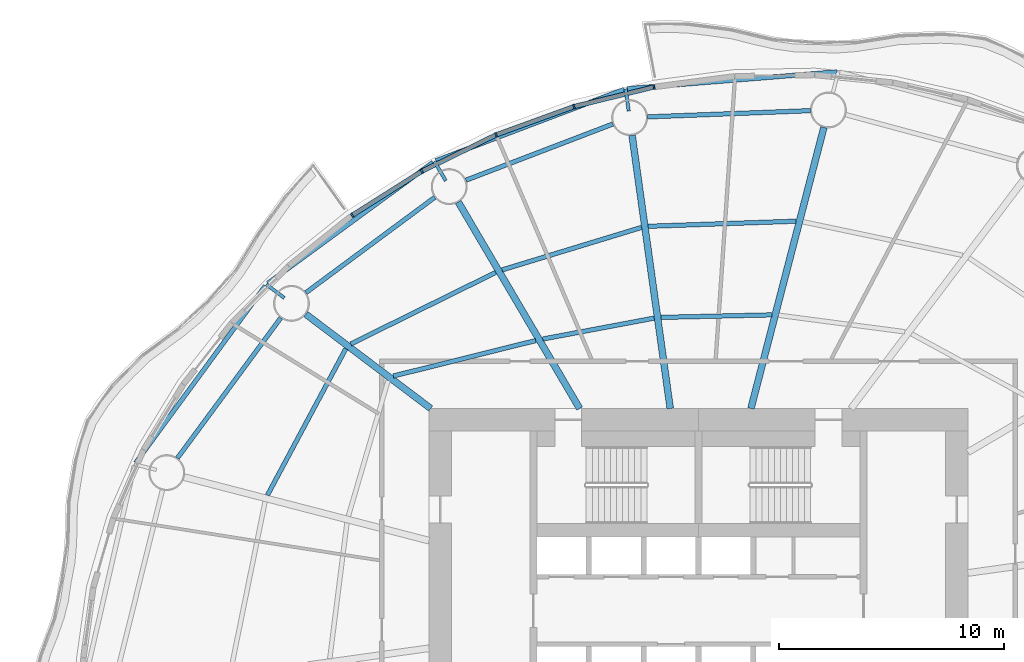
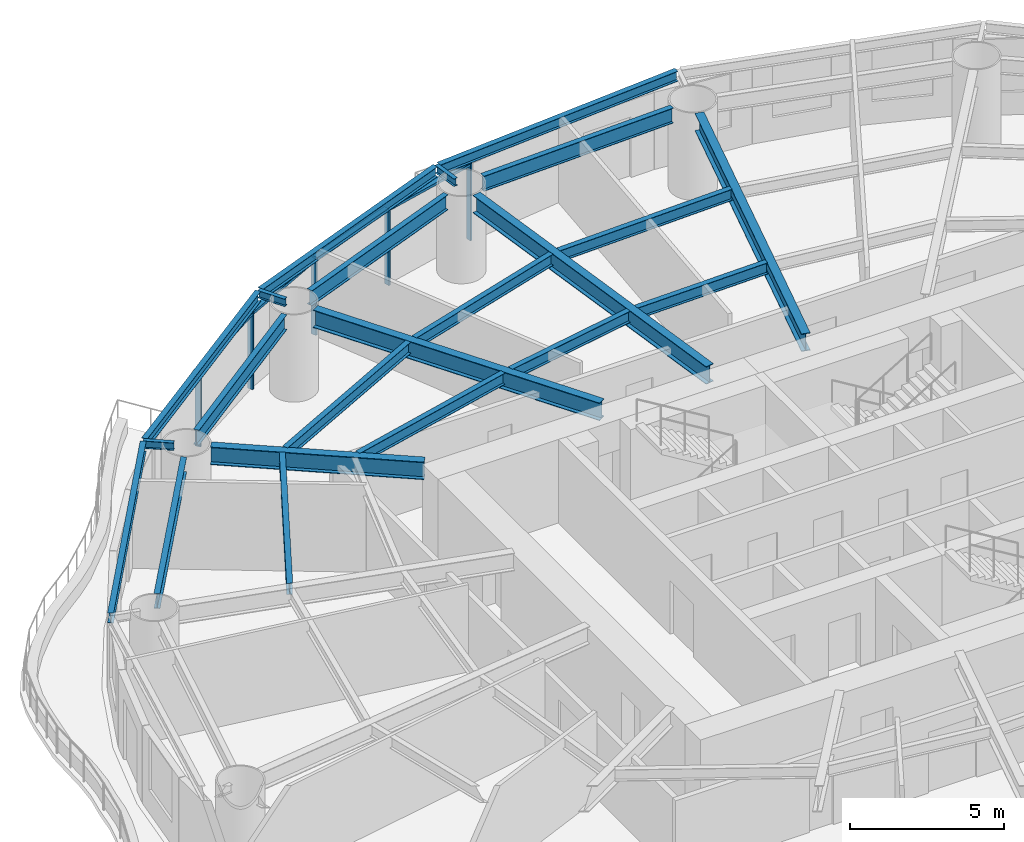
# One storey, part 5 of 14: 22 beams, 9 members, 4 elements without a shape of their own.
"""IFC4 building model written with IfcOpenShell, lengths in metres."""

from ifc_helpers import new_model, si_unit, direction, frame, origin, origin_2d, place, context, subcontext, project, spatial, rectangle, i_section, extrude, material, material_profile, profile_set, type_object, element, aggregate, save


model = new_model("IFC4")

# Units and contexts
model_context = context("Model", 3, precision=1e-05, world=origin(), true_north=direction((0.0, 1.0)))
body_context = subcontext(model_context, "Body", "Model", "MODEL_VIEW")
ifc_project = project(units=[si_unit("LENGTHUNIT", "METRE"), si_unit("AREAUNIT", "SQUARE_METRE"), si_unit("VOLUMEUNIT", "CUBIC_METRE"), si_unit("PLANEANGLEUNIT", "RADIAN"), si_unit("MASSUNIT", "GRAM", prefix="KILO")], contexts=[model_context])

# Site, building, storey
site_placement = place(None, origin())
site = spatial("IfcSite", under=ifc_project, at=site_placement, CompositionType="ELEMENT")
building_placement = place(site_placement, origin())
building = spatial("IfcBuilding", under=site, at=building_placement, Name="Vermilion Reach Broadcast Tower", CompositionType="ELEMENT")
storey_placement = place(building_placement, frame((0.0, 0.0, 124.60009765625)))
storey = spatial("IfcBuildingStorey", under=building, at=storey_placement, Name="L29", CompositionType="ELEMENT", Elevation=124.60009765625)

# Beams
ifc_material_1 = material(Name="Steel S355J2", Category="steel")
ifc_material_profile_1 = material_profile(ifc_material_1, i_section(OverallWidth=0.199951171875, OverallDepth=0.39990234375, WebThickness=0.008056640625, FlangeThickness=0.012939453125, at=origin_2d()), Name="S355J2 HN 400x200x8x13")
ifc_profile_set_1 = profile_set([ifc_material_profile_1], Name="Steel S355J2")
beam_type_1 = type_object("IfcBeamType", Name="EB2 HN 400x200x8x13", PredefinedType="BEAM", material=ifc_profile_set_1)
beam_1_placement = place(storey_placement, frame((0.14892578125, 23.989501953125, 3.25), z_axis=(-0.996787401261, -0.080092925325, 0.0), x_axis=(0.080092925325, -0.996787401261, 0.0)))
element("IfcBeam", 1, at=beam_1_placement, inside=storey, type_object=beam_type_1, Name="Edge beam EB2-03", PredefinedType="BEAM", context=body_context, shape_type="SweptSolid", body=[
    extrude(i_section(OverallWidth=0.199951171875, OverallDepth=0.39990234375, WebThickness=0.008056640625, FlangeThickness=0.012939453125, at=origin_2d()), origin(), (0.0, 0.0, 1.0), 9.348876953125),
])
beam_2_placement = place(storey_placement, frame((-9.316650390625, 23.20751953125, 3.25), z_axis=(-0.934998149822, -0.354652590333, 0.0), x_axis=(0.354652590333, -0.934998149822, 0.0)))
element("IfcBeam", 2, at=beam_2_placement, inside=storey, type_object=beam_type_1, Name="Edge beam EB2-04", PredefinedType="BEAM", context=body_context, shape_type="SweptSolid", body=[
    extrude(i_section(OverallWidth=0.199951171875, OverallDepth=0.39990234375, WebThickness=0.008056640625, FlangeThickness=0.012939453125, at=origin_2d()), origin(), (0.0, 0.0, 1.0), 8.95458984375),
])
beam_3_placement = place(storey_placement, frame((-17.821044921875, 19.960205078125, 3.25), z_axis=(-0.806917046927, -0.5906647775, 0.0), x_axis=(0.5906647775, -0.806917046927, 0.0)))
element("IfcBeam", 3, at=beam_3_placement, inside=storey, type_object=beam_type_1, Name="Edge beam EB2-05", PredefinedType="BEAM", context=body_context, shape_type="SweptSolid", body=[
    extrude(i_section(OverallWidth=0.199951171875, OverallDepth=0.39990234375, WebThickness=0.008056640625, FlangeThickness=0.012939453125, at=origin_2d()), origin(), (0.0, 0.0, 1.0), 9.119873046875),
])
beam_4_placement = place(storey_placement, frame((-25.28759765625, 14.466552734375, 3.25), z_axis=(-0.590871857955, -0.806765422831, 0.0), x_axis=(0.806765422831, -0.590871857955, 0.0)))
element("IfcBeam", 4, at=beam_4_placement, inside=storey, type_object=beam_type_1, Name="Edge beam EB2-06", PredefinedType="BEAM", context=body_context, shape_type="SweptSolid", body=[
    extrude(i_section(OverallWidth=0.199951171875, OverallDepth=0.39990234375, WebThickness=0.008056640625, FlangeThickness=0.012939453125, at=origin_2d()), origin(), (0.0, 0.0, 1.0), 9.772705078125),
])
ifc_material_2 = material(Name="Steel S355J2", Category="steel")
ifc_material_profile_2 = material_profile(ifc_material_2, i_section(OverallWidth=0.300048828125, OverallDepth=0.699951171875, WebThickness=0.012939453125, FlangeThickness=0.02392578125, at=origin_2d()), Name="S355J2 HN 700x300x13x24")
ifc_profile_set_2 = profile_set([ifc_material_profile_2], Name="Steel S355J2")
beam_type_2 = type_object("IfcBeamType", Name="G2 HN 700x300x13x24", PredefinedType="BEAM", material=ifc_profile_set_2)
beam_5_placement = place(storey_placement, frame((-3.6640625, 9.0, 3.099853515625), z_axis=(0.25121695316, 0.967930804575, 0.0), x_axis=(-0.967930804575, 0.25121695316, 0.0)))
element("IfcBeam", 5, at=beam_5_placement, inside=storey, type_object=beam_type_2, Name="Girder G2-03", PredefinedType="BEAM", context=body_context, shape_type="SweptSolid", body=[
    extrude(i_section(OverallWidth=0.300048828125, OverallDepth=0.699951171875, WebThickness=0.012939453125, FlangeThickness=0.02392578125, at=origin_2d()), origin(), (0.0, 0.0, 1.0), 12.93505859375),
])
beam_6_placement = place(storey_placement, frame((-7.2568359375, 9.0, 3.099853515625), z_axis=(-0.138317561234, 0.990387930184, 0.0), x_axis=(-0.990387930184, -0.138317561234, 0.0)))
element("IfcBeam", 6, at=beam_6_placement, inside=storey, type_object=beam_type_2, Name="Girder G2-04", PredefinedType="BEAM", context=body_context, shape_type="SweptSolid", body=[
    extrude(i_section(OverallWidth=0.300048828125, OverallDepth=0.699951171875, WebThickness=0.012939453125, FlangeThickness=0.02392578125, at=origin_2d()), origin(), (0.0, 0.0, 1.0), 12.281494140625),
])
beam_7_placement = place(storey_placement, frame((-11.290771484375, 9.0, 3.099853515625), z_axis=(-0.506783943634, 0.862073102744, 0.0), x_axis=(-0.862073102744, -0.506783943634, 0.0)))
element("IfcBeam", 7, at=beam_7_placement, inside=storey, type_object=beam_type_2, Name="Girder G2-05", PredefinedType="BEAM", context=body_context, shape_type="SweptSolid", body=[
    extrude(i_section(OverallWidth=0.300048828125, OverallDepth=0.699951171875, WebThickness=0.012939453125, FlangeThickness=0.02392578125, at=origin_2d()), origin(), (0.0, 0.0, 1.0), 10.661865234375),
])
beam_8_placement = place(storey_placement, frame((-17.921630859375, 9.0, 3.099853515625), z_axis=(-0.798113534072, 0.602507084382, 0.0), x_axis=(-0.602507084382, -0.798113534072, 0.0)))
element("IfcBeam", 8, at=beam_8_placement, inside=storey, type_object=beam_type_2, Name="Girder G2-06", PredefinedType="BEAM", context=body_context, shape_type="SweptSolid", body=[
    extrude(i_section(OverallWidth=0.300048828125, OverallDepth=0.699951171875, WebThickness=0.012939453125, FlangeThickness=0.02392578125, at=origin_2d()), origin(), (0.0, 0.0, 1.0), 6.971923828125),
])
ifc_material_3 = material(Name="Steel S355J2", Category="steel")
ifc_material_profile_3 = material_profile(ifc_material_3, i_section(OverallWidth=0.14990234375, OverallDepth=0.300048828125, WebThickness=0.006591796875, FlangeThickness=0.009033203125, at=origin_2d()), Name="S355J2 HN 300x150x6.5x9")
ifc_profile_set_3 = profile_set([ifc_material_profile_3], Name="Steel S355J2")
beam_type_3 = type_object("IfcBeamType", Name="GS2 HN 300x150x6.5x9", PredefinedType="BEAM", material=ifc_profile_set_3)
for number, where, z_axis, x_axis, name in (
    (9, (-9.1064453125, 22.244384765625, 3.2998046875), (-0.138413206764, 0.990374567622, 0.0), (-0.990374567622, -0.138413206764, 0.0), "Cantilever stub GS2-04"),
    (10, (-17.25341796875, 19.142822265625, 3.2998046875), (-0.506828068037, 0.862047161964, 0.0), (-0.862047161964, -0.506828068037, 0.0), "Cantilever stub GS2-05"),
    (11, (-24.445068359375, 13.924560546875, 3.2998046875), (-0.798091683473, 0.602536027779, 0.0), (-0.602536027779, -0.798091683473, 0.0), "Cantilever stub GS2-06"),
):
    element("IfcBeam", number, at=place(storey_placement, frame(where, z_axis=z_axis, x_axis=x_axis)), inside=storey, type_object=beam_type_3, Name=name, PredefinedType="BEAM", context=body_context, shape_type="SweptSolid", body=[
        extrude(i_section(OverallWidth=0.14990234375, OverallDepth=0.300048828125, WebThickness=0.006591796875, FlangeThickness=0.009033203125, at=origin_2d()), origin(), (0.0, 0.0, 1.0), 1.0),
    ])
ifc_material_4 = material(Name="Steel S355J2", Category="steel")
ifc_material_profile_4 = material_profile(ifc_material_4, i_section(OverallWidth=0.199951171875, OverallDepth=0.60009765625, WebThickness=0.010986328125, FlangeThickness=0.01708984375, at=origin_2d()), Name="S355J2 HN 600x200x11x17")
ifc_profile_set_4 = profile_set([ifc_material_profile_4], Name="Steel S355J2")
beam_type_4 = type_object("IfcBeamType", Name="RB2 HN 600x200x11x17", PredefinedType="BEAM", material=ifc_profile_set_4)
beam_9_placement = place(storey_placement, frame((-1.012939453125, 22.263916015625, 3.14990234375), z_axis=(-0.999268558327, -0.038240663418, 0.0), x_axis=(0.038240663418, -0.999268558327, 0.0)))
element("IfcBeam", 12, at=beam_9_placement, inside=storey, type_object=beam_type_4, Name="Ring beam RB2-03", PredefinedType="BEAM", context=body_context, shape_type="SweptSolid", body=[
    extrude(i_section(OverallWidth=0.199951171875, OverallDepth=0.60009765625, WebThickness=0.010986328125, FlangeThickness=0.01708984375, at=origin_2d()), origin(), (0.0, 0.0, 1.0), 7.259033203125),
])
beam_10_placement = place(storey_placement, frame((-9.813232421875, 21.669677734375, 3.14990234375), z_axis=(-0.933939237212, -0.357431813353, 0.0), x_axis=(0.357431813353, -0.933939237212, 0.0)))
element("IfcBeam", 13, at=beam_10_placement, inside=storey, type_object=beam_type_4, Name="Ring beam RB2-04", PredefinedType="BEAM", context=body_context, shape_type="SweptSolid", body=[
    extrude(i_section(OverallWidth=0.199951171875, OverallDepth=0.60009765625, WebThickness=0.010986328125, FlangeThickness=0.01708984375, at=origin_2d()), origin(), (0.0, 0.0, 1.0), 7.001953125),
])
beam_11_placement = place(storey_placement, frame((-17.74267578125, 18.4052734375, 3.14990234375), z_axis=(-0.803832742218, -0.594855379515, 0.0), x_axis=(0.594855379515, -0.803832742218, 0.0)))
element("IfcBeam", 14, at=beam_11_placement, inside=storey, type_object=beam_type_4, Name="Ring beam RB2-05", PredefinedType="BEAM", context=body_context, shape_type="SweptSolid", body=[
    extrude(i_section(OverallWidth=0.199951171875, OverallDepth=0.60009765625, WebThickness=0.010986328125, FlangeThickness=0.01708984375, at=origin_2d()), origin(), (0.0, 0.0, 1.0), 7.13916015625),
])
beam_12_placement = place(storey_placement, frame((-24.59912109375, 13.03857421875, 3.14990234375), z_axis=(-0.593250534798, -0.80501788984, 0.0), x_axis=(0.80501788984, -0.593250534798, 0.0)))
element("IfcBeam", 15, at=beam_12_placement, inside=storey, type_object=beam_type_4, Name="Ring beam RB2-06", PredefinedType="BEAM", context=body_context, shape_type="SweptSolid", body=[
    extrude(i_section(OverallWidth=0.199951171875, OverallDepth=0.60009765625, WebThickness=0.010986328125, FlangeThickness=0.01708984375, at=origin_2d()), origin(), (0.0, 0.0, 1.0), 7.76220703125),
])
ifc_material_5 = material(Name="Steel S355J2", Category="steel")
ifc_material_profile_5 = material_profile(ifc_material_5, i_section(OverallWidth=0.199951171875, OverallDepth=0.449951171875, WebThickness=0.009033203125, FlangeThickness=0.013916015625, at=origin_2d()), Name="S355J2 HN 450x200x9x14")
ifc_profile_set_5 = profile_set([ifc_material_profile_5], Name="Steel S355J2")
beam_type_5 = type_object("IfcBeamType", Name="SB2 HN 450x200x9x14", PredefinedType="BEAM", material=ifc_profile_set_5)
beam_13_placement = place(storey_placement, frame((-2.73681640625, 13.169921875, 3.224853515625), z_axis=(-0.999742320425, -0.022700060602, 0.0), x_axis=(0.022700060602, -0.999742320425, 0.0)))
element("IfcBeam", 16, at=beam_13_placement, inside=storey, type_object=beam_type_5, Name="Secondary beam SB2-03-1", PredefinedType="BEAM", context=body_context, shape_type="SweptSolid", body=[
    extrude(i_section(OverallWidth=0.199951171875, OverallDepth=0.449951171875, WebThickness=0.009033203125, FlangeThickness=0.013916015625, at=origin_2d()), origin(), (0.0, 0.0, 1.0), 4.9365234375),
])
beam_14_placement = place(storey_placement, frame((-1.654052734375, 17.34130859375, 3.224853515625), z_axis=(-0.999404722387, -0.03449928797, 0.0), x_axis=(0.03449928797, -0.999404722387, 0.0)))
element("IfcBeam", 17, at=beam_14_placement, inside=storey, type_object=beam_type_5, Name="Secondary beam SB2-03-2", PredefinedType="BEAM", context=body_context, shape_type="SweptSolid", body=[
    extrude(i_section(OverallWidth=0.199951171875, OverallDepth=0.449951171875, WebThickness=0.009033203125, FlangeThickness=0.013916015625, at=origin_2d()), origin(), (0.0, 0.0, 1.0), 6.58837890625),
])
beam_15_placement = place(storey_placement, frame((-7.970703125, 13.026611328125, 3.224853515625), z_axis=(-0.982782890015, -0.184764149915, 0.0), x_axis=(0.184764149915, -0.982782890015, 0.0)))
element("IfcBeam", 18, at=beam_15_placement, inside=storey, type_object=beam_type_5, Name="Secondary beam SB2-04-1", PredefinedType="BEAM", context=body_context, shape_type="SweptSolid", body=[
    extrude(i_section(OverallWidth=0.199951171875, OverallDepth=0.449951171875, WebThickness=0.009033203125, FlangeThickness=0.013916015625, at=origin_2d()), origin(), (0.0, 0.0, 1.0), 5.051513671875),
])
beam_16_placement = place(storey_placement, frame((-8.53466796875, 17.064697265625, 3.224853515625), z_axis=(-0.956596430605, -0.291415972374, 0.0), x_axis=(0.291415972374, -0.956596430605, 0.0)))
element("IfcBeam", 19, at=beam_16_placement, inside=storey, type_object=beam_type_5, Name="Secondary beam SB2-04-2", PredefinedType="BEAM", context=body_context, shape_type="SweptSolid", body=[
    extrude(i_section(OverallWidth=0.199951171875, OverallDepth=0.449951171875, WebThickness=0.009033203125, FlangeThickness=0.013916015625, at=origin_2d()), origin(), (0.0, 0.0, 1.0), 6.49267578125),
])
beam_17_placement = place(storey_placement, frame((-13.24365234375, 12.026123046875, 3.224853515625), z_axis=(-0.970396717612, -0.241516480695, 0.0), x_axis=(0.241516480695, -0.970396717612, 0.0)))
element("IfcBeam", 20, at=beam_17_placement, inside=storey, type_object=beam_type_5, Name="Secondary beam SB2-05-1", PredefinedType="BEAM", context=body_context, shape_type="SweptSolid", body=[
    extrude(i_section(OverallWidth=0.199951171875, OverallDepth=0.449951171875, WebThickness=0.009033203125, FlangeThickness=0.013916015625, at=origin_2d()), origin(), (0.0, 0.0, 1.0), 6.539306640625),
])
beam_18_placement = place(storey_placement, frame((-15.02783203125, 15.06103515625, 3.224853515625), z_axis=(-0.896648255868, -0.442743611189, 0.0), x_axis=(0.442743611189, -0.896648255868, 0.0)))
element("IfcBeam", 21, at=beam_18_placement, inside=storey, type_object=beam_type_5, Name="Secondary beam SB2-05-2", PredefinedType="BEAM", context=body_context, shape_type="SweptSolid", body=[
    extrude(i_section(OverallWidth=0.199951171875, OverallDepth=0.449951171875, WebThickness=0.009033203125, FlangeThickness=0.013916015625, at=origin_2d()), origin(), (0.0, 0.0, 1.0), 7.19677734375),
])
beam_19_placement = place(storey_placement, frame((-21.702880859375, 11.66650390625, 3.224853515625), z_axis=(-0.471821551693, -0.881694064491, 0.0), x_axis=(0.881694064491, -0.471821551693, 0.0)))
element("IfcBeam", 22, at=beam_19_placement, inside=storey, type_object=beam_type_5, Name="Secondary beam SB2-06-2", PredefinedType="BEAM", context=body_context, shape_type="SweptSolid", body=[
    extrude(i_section(OverallWidth=0.199951171875, OverallDepth=0.449951171875, WebThickness=0.009033203125, FlangeThickness=0.013916015625, at=origin_2d()), origin(), (0.0, 0.0, 1.0), 7.405029296875),
])

# Curtain wall, member
ifc_material_6 = material(Name="Low-e laminated clear glass in aluminium frame", Category="aluminium")
curtain_wall_type = type_object("IfcCurtainWallType", Name="Slot curtain wall", PredefinedType="NOTDEFINED", material=ifc_material_6)
placement = place(storey_placement, origin())
curtain_wall_1 = element("IfcCurtainWall", 23, at=placement, inside=storey, type_object=curtain_wall_type, Name="Slot curtain wall L29 10", PredefinedType="NOTDEFINED")
ifc_material_7 = material(Name="Anodised aluminium", Category="aluminium")
ifc_material_profile_6 = material_profile(ifc_material_7, rectangle(XDim=0.199951171875, YDim=0.080078125, at=origin_2d()), Name="Slot mullion 80 x 200")
ifc_profile_set_6 = profile_set([ifc_material_profile_6], Name="Anodised aluminium")
member_type_1 = type_object("IfcMemberType", Name="Slot mullion 80 x 200", PredefinedType="MULLION", material=ifc_profile_set_6)
member_1_placement = place(storey_placement, frame((-7.982666015625, 23.31884765625, 0.0), z_axis=(0.0, 0.0, 1.0), x_axis=(0.184620372171, -0.982809909484, 0.0)))
member_1 = element("IfcMember", 24, at=member_1_placement, type_object=member_type_1, Name="Slot mullion L29 10", PredefinedType="MULLION", context=body_context, shape_type="SweptSolid", body=[
    extrude(rectangle(XDim=0.199951171875, YDim=0.080078125, at=origin_2d()), origin(), (0.0, 0.0, 1.0), 3.0498046875),
])

curtain_wall_2 = element("IfcCurtainWall", 25, at=placement, inside=storey, type_object=curtain_wall_type, Name="Slot curtain wall L29 11", PredefinedType="NOTDEFINED")
member_2_placement = place(storey_placement, frame((-11.5439453125, 22.4453125, 0.0), z_axis=(0.0, 0.0, 1.0), x_axis=(0.29026913192, -0.95694505122, 0.0)))
member_2 = element("IfcMember", 26, at=member_2_placement, type_object=member_type_1, Name="Slot mullion L29 11", PredefinedType="MULLION", context=body_context, shape_type="SweptSolid", body=[
    extrude(rectangle(XDim=0.199951171875, YDim=0.080078125, at=origin_2d()), origin(), (0.0, 0.0, 1.0), 3.0498046875),
])

curtain_wall_3 = element("IfcCurtainWall", 27, at=placement, inside=storey, type_object=curtain_wall_type, Name="Slot curtain wall L29 12", PredefinedType="NOTDEFINED")
member_3_placement = place(storey_placement, frame((-15.01025390625, 21.185791015625, 0.0), z_axis=(0.0, 0.0, 1.0), x_axis=(0.391373690383, -0.920231837352, 0.0)))
member_3 = element("IfcMember", 28, at=member_3_placement, type_object=member_type_1, Name="Slot mullion L29 12", PredefinedType="MULLION", context=body_context, shape_type="SweptSolid", body=[
    extrude(rectangle(XDim=0.199951171875, YDim=0.080078125, at=origin_2d()), origin(), (0.0, 0.0, 1.0), 3.0498046875),
])

# Curtain wall, members
curtain_wall_4 = element("IfcCurtainWall", 29, at=placement, inside=storey, type_object=curtain_wall_type, Name="Slot curtain wall L29 13", PredefinedType="NOTDEFINED")
member_4_placement = place(storey_placement, frame((-18.322021484375, 19.5625, 0.0), z_axis=(0.0, 0.0, 1.0), x_axis=(0.487950062032, -0.872871546657, 0.0)))
member_4 = element("IfcMember", 30, at=member_4_placement, type_object=member_type_1, Name="Slot mullion L29 13", PredefinedType="MULLION", context=body_context, shape_type="SweptSolid", body=[
    extrude(rectangle(XDim=0.199951171875, YDim=0.080078125, at=origin_2d()), origin(), (0.0, 0.0, 1.0), 3.0498046875),
])
member_5_placement = place(storey_placement, frame((-21.421630859375, 17.603271484375, 0.0), z_axis=(0.0, 0.0, 1.0), x_axis=(0.579864266206, -0.814713098444, 0.0)))
member_5 = element("IfcMember", 31, at=member_5_placement, type_object=member_type_1, Name="Slot mullion L29 14", PredefinedType="MULLION", context=body_context, shape_type="SweptSolid", body=[
    extrude(rectangle(XDim=0.199951171875, YDim=0.080078125, at=origin_2d()), origin(), (0.0, 0.0, 1.0), 3.0498046875),
])

# Member
ifc_material_8 = material(Name="Anodised aluminium", Category="aluminium")
ifc_material_profile_7 = material_profile(ifc_material_8, rectangle(XDim=0.199951171875, YDim=0.10009765625, at=origin_2d()), Name="Slot transom 200 x 100")
ifc_profile_set_7 = profile_set([ifc_material_profile_7], Name="Anodised aluminium")
member_type_2 = type_object("IfcMemberType", Name="Slot transom 200 x 100", PredefinedType="USERDEFINED", material=ifc_profile_set_7)
member_6_placement = place(storey_placement, frame((-8.021484375, 23.309326171875, 3.0), z_axis=(-0.971209952718, -0.238225161855, 0.0), x_axis=(0.238225161855, -0.971209952718, 0.0)))
member_6 = element("IfcMember", 32, at=member_6_placement, type_object=member_type_2, Name="Slot transom L29 10.1", ObjectType="TRANSOM", PredefinedType="USERDEFINED", context=body_context, shape_type="SweptSolid", body=[
    extrude(rectangle(XDim=0.199951171875, YDim=0.10009765625, at=origin_2d()), origin(), (0.0, 0.0, 1.0), 3.5869140625),
])

aggregate(curtain_wall_1, [member_1, member_6])

member_7_placement = place(storey_placement, frame((-11.58154296875, 22.431640625, 3.0), z_axis=(-0.939878347169, -0.341509432553, 0.0), x_axis=(0.341509432553, -0.939878347169, 0.0)))
member_7 = element("IfcMember", 33, at=member_7_placement, type_object=member_type_2, Name="Slot transom L29 11.1", ObjectType="TRANSOM", PredefinedType="USERDEFINED", context=body_context, shape_type="SweptSolid", body=[
    extrude(rectangle(XDim=0.199951171875, YDim=0.10009765625, at=origin_2d()), origin(), (0.0, 0.0, 1.0), 3.608154296875),
])

aggregate(curtain_wall_2, [member_2, member_7])

member_8_placement = place(storey_placement, frame((-15.046142578125, 21.168212890625, 3.0), z_axis=(-0.897918100839, -0.440162565634, 0.0), x_axis=(0.440162565634, -0.897918100839, 0.0)))
member_8 = element("IfcMember", 34, at=member_8_placement, type_object=member_type_2, Name="Slot transom L29 12.1", ObjectType="TRANSOM", PredefinedType="USERDEFINED", context=body_context, shape_type="SweptSolid", body=[
    extrude(rectangle(XDim=0.199951171875, YDim=0.10009765625, at=origin_2d()), origin(), (0.0, 0.0, 1.0), 3.608154296875),
])

aggregate(curtain_wall_3, [member_3, member_8])

member_9_placement = place(storey_placement, frame((-18.355712890625, 19.541259765625, 3.0), z_axis=(-0.845260784863, -0.534354007727, 0.0), x_axis=(0.534354007727, -0.845260784863, 0.0)))
member_9 = element("IfcMember", 35, at=member_9_placement, type_object=member_type_2, Name="Slot transom L29 13.1", ObjectType="TRANSOM", PredefinedType="USERDEFINED", context=body_context, shape_type="SweptSolid", body=[
    extrude(rectangle(XDim=0.199951171875, YDim=0.10009765625, at=origin_2d()), origin(), (0.0, 0.0, 1.0), 3.587158203125),
])

aggregate(curtain_wall_4, [member_4, member_5, member_9])

save(model, "model.ifc")
